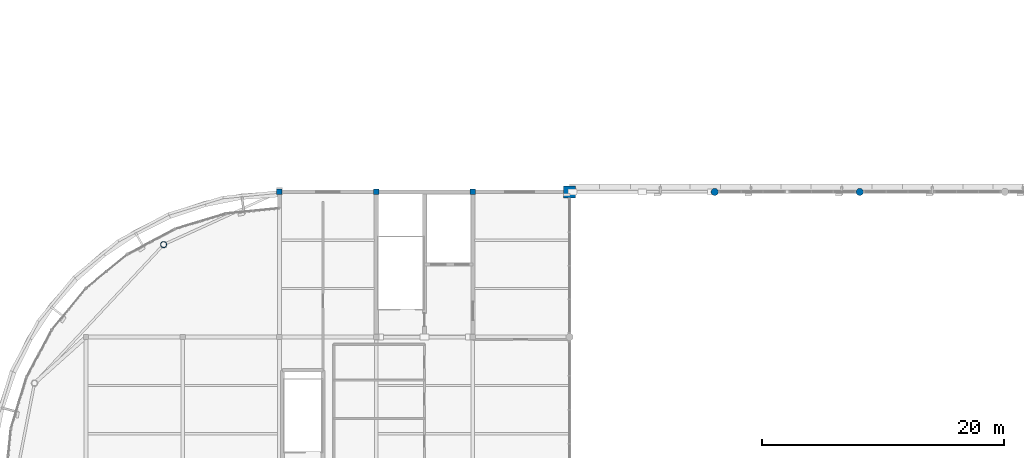
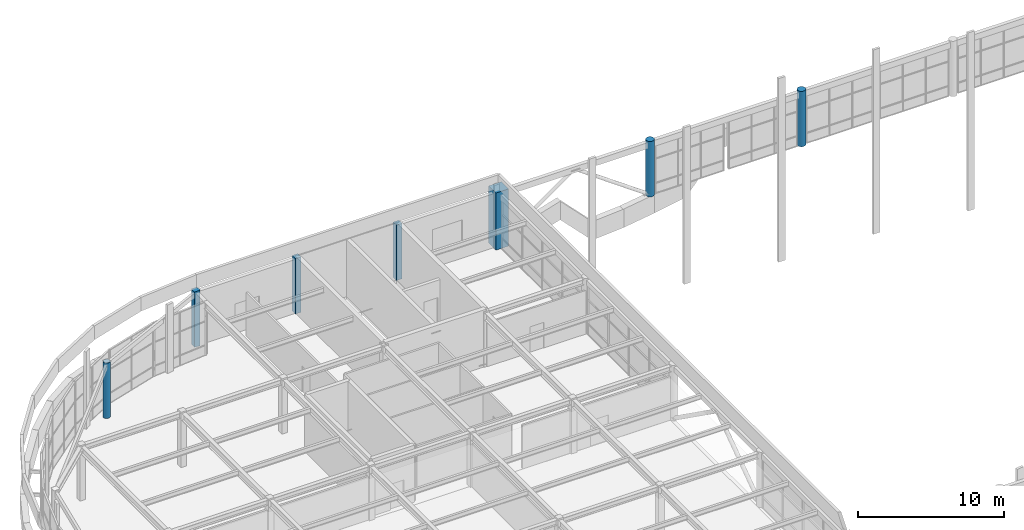
# One storey, part 4 of 63: 7 columns.
"""IFC4 building model written with IfcOpenShell, lengths in metres."""

from ifc_helpers import new_model, si_unit, direction, frame, origin, origin_2d, place, context, subcontext, project, spatial, rectangle, circle, hollow_circle, extrude, material, material_profile, profile_set, type_object, element, save


model = new_model("IFC4")

# Units and contexts
model_context = context("Model", 3, precision=1e-05, world=origin(), true_north=direction((0.0, 1.0)))
body_context = subcontext(model_context, "Body", "Model", "MODEL_VIEW")
ifc_project = project(units=[si_unit("LENGTHUNIT", "METRE"), si_unit("AREAUNIT", "SQUARE_METRE"), si_unit("VOLUMEUNIT", "CUBIC_METRE"), si_unit("PLANEANGLEUNIT", "RADIAN"), si_unit("MASSUNIT", "GRAM", prefix="KILO")], contexts=[model_context])

# Site, building, storey
site_placement = place(None, origin())
site = spatial("IfcSite", under=ifc_project, at=site_placement, CompositionType="ELEMENT")
building_placement = place(site_placement, origin())
building = spatial("IfcBuilding", under=site, at=building_placement, Name="Keelwater Ferry Terminal", CompositionType="ELEMENT")
storey_placement = place(building_placement, frame((0.0, 0.0, 10.199951171875)))
storey = spatial("IfcBuildingStorey", under=building, at=storey_placement, Name="L02", CompositionType="ELEMENT", Elevation=10.199951171875)

# Columns
ifc_material_1 = material(Name="Concrete C45/55", Category="concrete")
ifc_material_profile_1 = material_profile(ifc_material_1, rectangle(XDim=0.449951171875, YDim=0.449951171875, at=origin_2d()), Name="RC 450x450")
ifc_profile_set_1 = profile_set([ifc_material_profile_1], Name="Concrete C45/55")
column_type_1 = type_object("IfcColumnType", Name="C5 RC 450x450", PredefinedType="COLUMN", material=ifc_profile_set_1)
for number, where, z_axis, x_axis, name in (
    (1, (24.0, 90.0, 0.0), (0.0, 0.0, 1.0), (1.0, 0.0, 0.0), "Column CL-L02-0033"),
    (2, (32.0, 90.0, 0.0), (0.0, 0.0, 1.0), (1.0, 0.0, 0.0), "Column CL-L02-0058"),
    (3, (40.0, 90.0, 0.0), (0.0, 0.0, 1.0), (1.0, 0.0, 0.0), "Column CL-L02-0083"),
):
    element("IfcColumn", number, at=place(storey_placement, frame(where, z_axis=z_axis, x_axis=x_axis)), inside=storey, type_object=column_type_1, Name=name, PredefinedType="COLUMN", context=body_context, shape_type="SweptSolid", body=[
        extrude(rectangle(XDim=0.449951171875, YDim=0.449951171875, at=origin_2d()), origin(), (0.0, 0.0, 1.0), 4.64013671875),
    ])
ifc_material_2 = material(Name="Concrete C45/55", Category="concrete")
ifc_material_profile_2 = material_profile(ifc_material_2, circle(Radius=0.300048828125, at=origin_2d()), Name="RC D600")
ifc_profile_set_2 = profile_set([ifc_material_profile_2], Name="Concrete C45/55")
column_type_2 = type_object("IfcColumnType", Name="C7 RC D600", PredefinedType="COLUMN", material=ifc_profile_set_2)
for number, where, z_axis, x_axis, name in (
    (4, (60.0, 90.0, 0.0), (0.0, 0.0, 1.0), (1.0, 0.0, 0.0), "Column CL-L02-0121"),
    (5, (72.0, 90.0, 0.0), (0.0, 0.0, 1.0), (1.0, 0.0, 0.0), "Column CL-L02-0134"),
):
    element("IfcColumn", number, at=place(storey_placement, frame(where, z_axis=z_axis, x_axis=x_axis)), inside=storey, type_object=column_type_2, Name=name, PredefinedType="COLUMN", context=body_context, shape_type="SweptSolid", body=[
        extrude(circle(Radius=0.300048828125, at=origin_2d()), origin(), (0.0, 0.0, 1.0), 4.64013671875),
    ])
ifc_material_3 = material(Name="Steel S355", Category="steel")
ifc_material_profile_3 = material_profile(ifc_material_3, hollow_circle(Radius=0.25390625, WallThickness=0.02001953125, at=origin_2d()), Name="CHS 508x20")
ifc_profile_set_3 = profile_set([ifc_material_profile_3], Name="Steel S355")
column_type_3 = type_object("IfcColumnType", Name="C8E CHS 508x20", PredefinedType="COLUMN", material=ifc_profile_set_3)
column_1_placement = place(storey_placement, frame((14.422119140625, 85.638916015625, 0.0), z_axis=(0.0, 0.0, 1.0), x_axis=(1.0, 0.0, 0.0)))
element("IfcColumn", 6, at=column_1_placement, inside=storey, type_object=column_type_3, Name="Column CL-L02-0529", PredefinedType="COLUMN", context=body_context, shape_type="SweptSolid", body=[
    extrude(hollow_circle(Radius=0.25390625, WallThickness=0.02001953125, at=origin_2d()), origin(), (0.0, 0.0, 1.0), 4.64013671875),
])
ifc_material_4 = material(Name="Concrete C50/60", Category="concrete")
ifc_material_profile_4 = material_profile(ifc_material_4, rectangle(XDim=1.0, YDim=1.0, at=origin_2d()), Name="RC 1000x1000")
ifc_profile_set_4 = profile_set([ifc_material_profile_4], Name="Concrete C50/60")
column_type_4 = type_object("IfcColumnType", Name="MC1 RC 1000x1000", PredefinedType="COLUMN", material=ifc_profile_set_4)
column_2_placement = place(storey_placement, frame((48.0, 90.0, 0.0), z_axis=(0.0, 0.0, 1.0), x_axis=(1.0, 0.0, 0.0)))
element("IfcColumn", 7, at=column_2_placement, inside=storey, type_object=column_type_4, Name="Column CL-L02-0108", PredefinedType="COLUMN", context=body_context, shape_type="SweptSolid", body=[
    extrude(rectangle(XDim=1.0, YDim=1.0, at=origin_2d()), origin(), (0.0, 0.0, 1.0), 4.800048828125),
])

save(model, "model.ifc")
